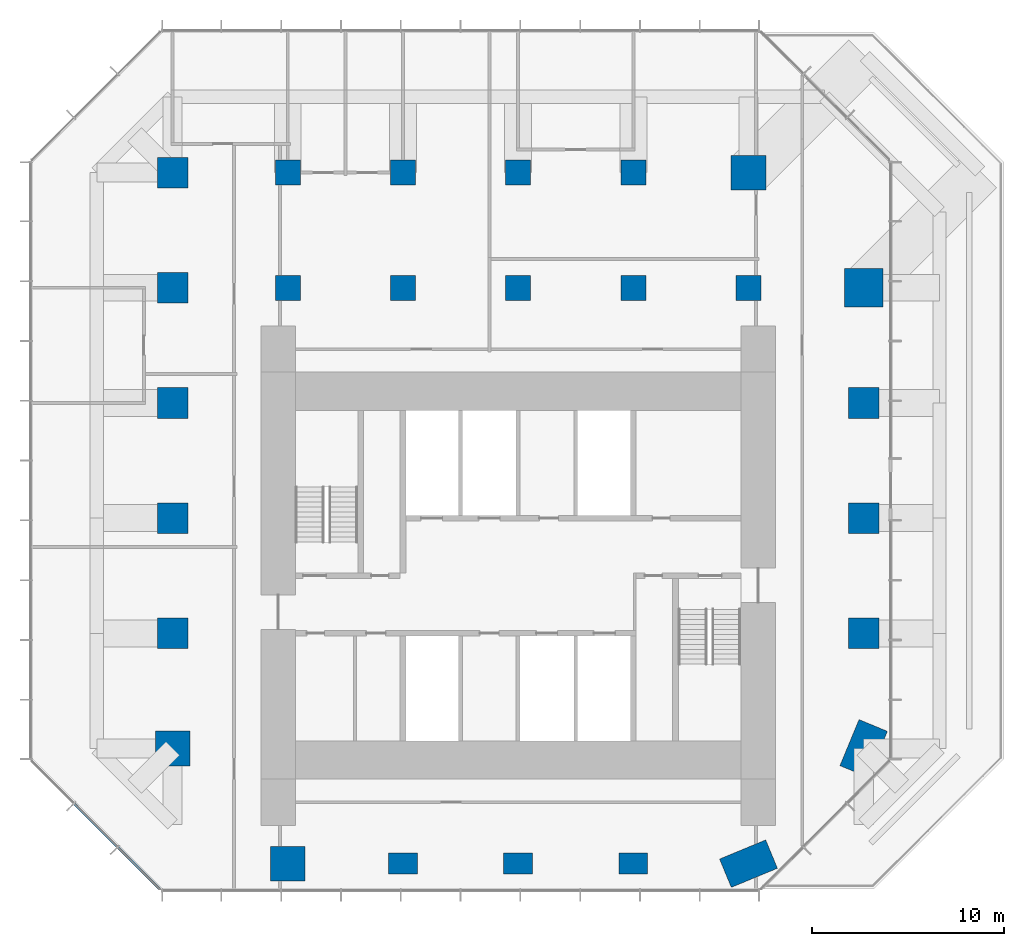
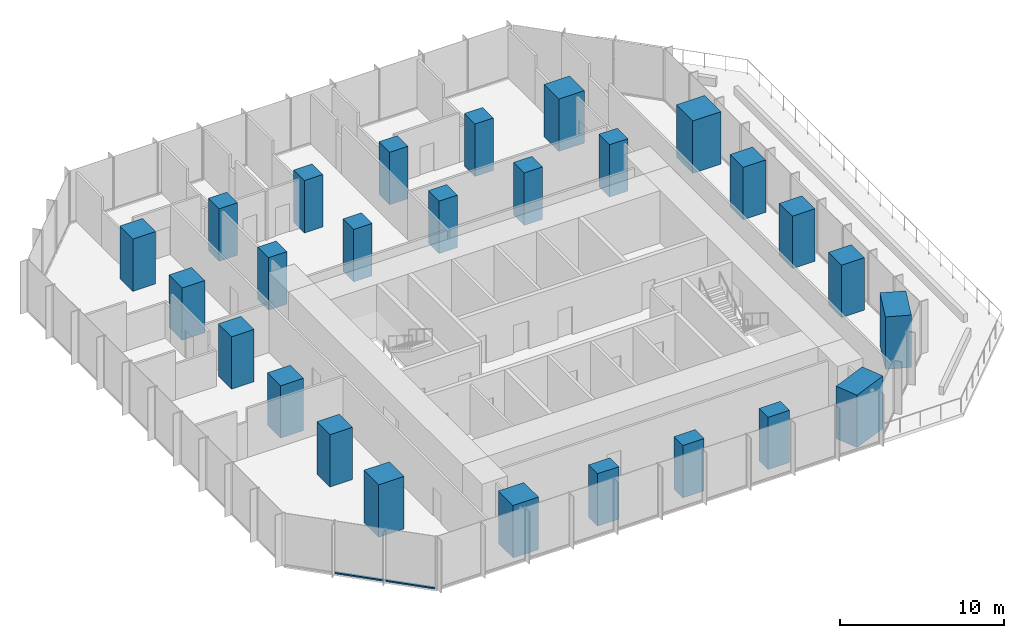
# One storey, part 1 of 11: 26 columns, 2 members, 1 element without a shape of its own.
"""IFC4 building model written with IfcOpenShell, lengths in metres."""

from ifc_helpers import new_model, si_unit, direction, frame, origin, origin_2d, place, context, subcontext, project, spatial, rectangle, extrude, material, layer, layer_set, material_profile, profile_set, type_object, element, aggregate, save


model = new_model("IFC4")

# Units and contexts
model_context = context("Model", 3, precision=1e-05, world=origin(), true_north=direction((0.0, 1.0)))
body_context = subcontext(model_context, "Body", "Model", "MODEL_VIEW")
ifc_project = project(units=[si_unit("LENGTHUNIT", "METRE"), si_unit("AREAUNIT", "SQUARE_METRE"), si_unit("VOLUMEUNIT", "CUBIC_METRE"), si_unit("PLANEANGLEUNIT", "RADIAN"), si_unit("MASSUNIT", "GRAM", prefix="KILO")], contexts=[model_context])

# Site, building, storey
site_placement = place(None, origin())
site = spatial("IfcSite", under=ifc_project, at=site_placement, CompositionType="ELEMENT")
building_placement = place(site_placement, origin())
building = spatial("IfcBuilding", under=site, at=building_placement, Name="Highveld Stack Headquarters", CompositionType="ELEMENT")
storey_placement = place(building_placement, frame((0.0, 0.0, 188.89990234375)))
storey = spatial("IfcBuildingStorey", under=building, at=storey_placement, Name="L46", CompositionType="ELEMENT", Elevation=188.89990234375)

# Columns
ifc_material_1 = material(Name="Concrete C60/75", Category="concrete")
ifc_material_profile_1 = material_profile(ifc_material_1, rectangle(XDim=1.300048828125, YDim=1.300048828125, at=origin_2d()), Name="RC 1300x1300")
ifc_profile_set_1 = profile_set([ifc_material_profile_1], Name="Concrete C60/75")
column_type_1 = type_object("IfcColumnType", Name="COLUMN RC 1300x1300 C60/75", PredefinedType="COLUMN", material=ifc_profile_set_1)
for number, where, z_axis, x_axis, name in (
    (1, (-6.0, 18.0, 0.0), (0.0, 0.0, 1.0), (1.0, 0.0, 0.0), "Column 5/H L46"),
    (2, (-6.0, 24.0, 0.0), (0.0, 0.0, 1.0), (1.0, 0.0, 0.0), "Column 5/J L46"),
    (3, (0.0, 18.0, 0.0), (0.0, 0.0, 1.0), (1.0, 0.0, 0.0), "Column 6/H L46"),
    (4, (0.0, 24.0, 0.0), (0.0, 0.0, 1.0), (1.0, 0.0, 0.0), "Column 6/J L46"),
    (5, (6.0, 18.0, 0.0), (0.0, 0.0, 1.0), (1.0, 0.0, 0.0), "Column 7/H L46"),
    (6, (6.0, 24.0, 0.0), (0.0, 0.0, 1.0), (1.0, 0.0, 0.0), "Column 7/J L46"),
    (7, (12.0, 18.0, 0.0), (0.0, 0.0, 1.0), (1.0, 0.0, 0.0), "Column 8/H L46"),
    (8, (12.0, 24.0, 0.0), (0.0, 0.0, 1.0), (1.0, 0.0, 0.0), "Column 8/J L46"),
    (9, (18.0, 18.0, 0.0), (0.0, 0.0, 1.0), (1.0, 0.0, 0.0), "Column 9/H L46"),
):
    element("IfcColumn", number, at=place(storey_placement, frame(where, z_axis=z_axis, x_axis=x_axis)), inside=storey, type_object=column_type_1, Name=name, PredefinedType="COLUMN", context=body_context, shape_type="SweptSolid", body=[
        extrude(rectangle(XDim=1.300048828125, YDim=1.300048828125, at=origin_2d()), origin(), (0.0, 0.0, 1.0), 3.900146484375),
    ])
ifc_material_2 = material(Name="Concrete C60/75", Category="concrete")
ifc_material_profile_2 = material_profile(ifc_material_2, rectangle(XDim=1.5, YDim=1.10009765625, at=origin_2d()), Name="RC 1500x1100")
ifc_profile_set_2 = profile_set([ifc_material_profile_2], Name="Concrete C60/75")
column_type_2 = type_object("IfcColumnType", Name="COLUMN RC 1500x1100 C60/75", PredefinedType="COLUMN", material=ifc_profile_set_2)
for number, where, z_axis, x_axis, name in (
    (10, (0.0, -12.0, 0.0), (0.0, 0.0, 1.0), (1.0, 0.0, 0.0), "Column 6/C L46"),
    (11, (6.0, -12.0, 0.0), (0.0, 0.0, 1.0), (1.0, 0.0, 0.0), "Column 7/C L46"),
    (12, (12.0, -12.0, 0.0), (0.0, 0.0, 1.0), (1.0, 0.0, 0.0), "Column 8/C L46"),
):
    element("IfcColumn", number, at=place(storey_placement, frame(where, z_axis=z_axis, x_axis=x_axis)), inside=storey, type_object=column_type_2, Name=name, PredefinedType="COLUMN", context=body_context, shape_type="SweptSolid", body=[
        extrude(rectangle(XDim=1.5, YDim=1.10009765625, at=origin_2d()), origin(), (0.0, 0.0, 1.0), 3.900146484375),
    ])
ifc_material_3 = material(Name="Concrete C60/75", Category="concrete")
ifc_material_profile_3 = material_profile(ifc_material_3, rectangle(XDim=1.60009765625, YDim=1.60009765625, at=origin_2d()), Name="RC 1600x1600")
ifc_profile_set_3 = profile_set([ifc_material_profile_3], Name="Concrete C60/75")
column_type_3 = type_object("IfcColumnType", Name="COLUMN RC 1600x1600 C60/75", PredefinedType="COLUMN", material=ifc_profile_set_3)
for number, where, z_axis, x_axis, name in (
    (13, (-12.0, 0.0, 0.0), (0.0, 0.0, 1.0), (1.0, 0.0, 0.0), "Column 4/E L46"),
    (14, (-12.0, 6.0, 0.0), (0.0, 0.0, 1.0), (1.0, 0.0, 0.0), "Column 4/F L46"),
    (15, (-12.0, 12.0, 0.0), (0.0, 0.0, 1.0), (1.0, 0.0, 0.0), "Column 4/G L46"),
    (16, (-12.0, 18.0, 0.0), (0.0, 0.0, 1.0), (1.0, 0.0, 0.0), "Column 4/H L46"),
    (17, (-12.0, 24.0, 0.0), (0.0, 0.0, 1.0), (1.0, 0.0, 0.0), "Column 4/J L46"),
    (18, (24.0, 0.0, 0.0), (0.0, 0.0, 1.0), (1.0, 0.0, 0.0), "Column 10/E L46"),
    (19, (24.0, 6.0, 0.0), (0.0, 0.0, 1.0), (1.0, 0.0, 0.0), "Column 10/F L46"),
    (20, (24.0, 12.0, 0.0), (0.0, 0.0, 1.0), (1.0, 0.0, 0.0), "Column 10/G L46"),
):
    element("IfcColumn", number, at=place(storey_placement, frame(where, z_axis=z_axis, x_axis=x_axis)), inside=storey, type_object=column_type_3, Name=name, PredefinedType="COLUMN", context=body_context, shape_type="SweptSolid", body=[
        extrude(rectangle(XDim=1.60009765625, YDim=1.60009765625, at=origin_2d()), origin(), (0.0, 0.0, 1.0), 3.900146484375),
    ])
ifc_material_4 = material(Name="Concrete C60/75", Category="concrete")
ifc_material_profile_4 = material_profile(ifc_material_4, rectangle(XDim=1.800048828125, YDim=1.800048828125, at=origin_2d()), Name="RC 1800x1800")
ifc_profile_set_4 = profile_set([ifc_material_profile_4], Name="Concrete C60/75")
column_type_4 = type_object("IfcColumnType", Name="COLUMN RC 1800x1800 C60/75", PredefinedType="COLUMN", material=ifc_profile_set_4)
for number, where, z_axis, x_axis, name in (
    (21, (-12.0, -6.0, 0.0), (0.0, 0.0, 1.0), (1.0, 0.0, 0.0), "Column 4/D L46"),
    (22, (-6.0, -12.0, 0.0), (0.0, 0.0, 1.0), (1.0, 0.0, 0.0), "Column 5/C L46"),
    (23, (18.0, 24.0, 0.0), (0.0, 0.0, 1.0), (1.0, 0.0, 0.0), "Column 9/J L46"),
):
    element("IfcColumn", number, at=place(storey_placement, frame(where, z_axis=z_axis, x_axis=x_axis)), inside=storey, type_object=column_type_4, Name=name, PredefinedType="COLUMN", context=body_context, shape_type="SweptSolid", body=[
        extrude(rectangle(XDim=1.800048828125, YDim=1.800048828125, at=origin_2d()), origin(), (0.0, 0.0, 1.0), 3.900146484375),
    ])
ifc_material_5 = material(Name="Concrete C60/75", Category="concrete")
ifc_material_profile_5 = material_profile(ifc_material_5, rectangle(XDim=2.0, YDim=2.0, at=origin_2d()), Name="RC 2000x2000")
ifc_profile_set_5 = profile_set([ifc_material_profile_5], Name="Concrete C60/75")
column_type_5 = type_object("IfcColumnType", Name="COLUMN RC 2000x2000 C60/75", PredefinedType="COLUMN", material=ifc_profile_set_5)
column_placement = place(storey_placement, frame((24.0, 18.0, 0.0), z_axis=(0.0, 0.0, 1.0), x_axis=(1.0, 0.0, 0.0)))
element("IfcColumn", 24, at=column_placement, inside=storey, type_object=column_type_5, Name="Column 10/H L46", PredefinedType="COLUMN", context=body_context, shape_type="SweptSolid", body=[
    extrude(rectangle(XDim=2.0, YDim=2.0, at=origin_2d()), origin(), (0.0, 0.0, 1.0), 3.900146484375),
])
ifc_material_6 = material(Name="Concrete C60/75", Category="concrete")
ifc_material_profile_6 = material_profile(ifc_material_6, rectangle(XDim=2.60009765625, YDim=1.60009765625, at=origin_2d()), Name="RC 2600x1600")
ifc_profile_set_6 = profile_set([ifc_material_profile_6], Name="Concrete C60/75")
column_type_6 = type_object("IfcColumnType", Name="COLUMN RC 2600x1600 C60/75", PredefinedType="COLUMN", material=ifc_profile_set_6)
for number, where, z_axis, x_axis, name in (
    (25, (18.0, -12.0, 0.0), (0.0, 0.0, 1.0), (-0.923879532511, -0.382683432365, 0.0), "Column 9/C L46"),
    (26, (24.0, -6.0, 0.0), (0.0, 0.0, 1.0), (-0.382683432365, -0.923879532511, 0.0), "Column 10/D L46"),
):
    element("IfcColumn", number, at=place(storey_placement, frame(where, z_axis=z_axis, x_axis=x_axis)), inside=storey, type_object=column_type_6, Name=name, PredefinedType="COLUMN", context=body_context, shape_type="SweptSolid", body=[
        extrude(rectangle(XDim=2.60009765625, YDim=1.60009765625, at=origin_2d()), origin(), (0.0, 0.0, 1.0), 3.900146484375),
    ])

# Curtain wall, members
ifc_material_7 = material(Name="Aluminium bronze anodised", Category="aluminium")
ifc_layer = layer(ifc_material_7, 0.199951171875)
ifc_layer_set = layer_set([ifc_layer], Name="Aluminium bronze anodised")
curtain_wall_type = type_object("IfcCurtainWallType", Name="CW2 TOWER CHAMFER UNITISED CURTAIN WALL", PredefinedType="NOTDEFINED", material=ifc_layer_set)
curtain_wall_placement = place(storey_placement, origin())
curtain_wall = element("IfcCurtainWall", 27, at=curtain_wall_placement, inside=storey, type_object=curtain_wall_type, Name="Curtain wall CW2 L46 SW", PredefinedType="NOTDEFINED")
ifc_material_8 = material(Name="Aluminium bronze anodised", Category="aluminium")
ifc_material_profile_7 = material_profile(ifc_material_8, rectangle(XDim=0.14990234375, YDim=0.10009765625, at=origin_2d()), Name="CW2 TRANSOM 150x100")
ifc_profile_set_7 = profile_set([ifc_material_profile_7], Name="Aluminium bronze anodised")
member_type = type_object("IfcMemberType", Name="CW2 STACK TRANSOM 150x100", PredefinedType="USERDEFINED", material=ifc_profile_set_7)
member_1_placement = place(storey_placement, frame((-17.103759765625, -8.876220703125, 0.050048828125), z_axis=(0.707106781187, -0.707106781187, 0.0), x_axis=(0.707106781187, 0.707106781187, 0.0)))
member_1 = element("IfcMember", 28, at=member_1_placement, type_object=member_type, Name="CW2 transom L46 2.1", ObjectType="TRANSOM", PredefinedType="USERDEFINED", context=body_context, shape_type="SweptSolid", body=[
    extrude(rectangle(XDim=0.14990234375, YDim=0.10009765625, at=origin_2d()), origin(), (0.0, 0.0, 1.0), 3.150146484375),
])
member_2_placement = place(storey_placement, frame((-14.830322265625, -11.149658203125, 0.050048828125), z_axis=(0.707106781187, -0.707106781187, 0.0), x_axis=(0.707106781187, 0.707106781187, 0.0)))
member_2 = element("IfcMember", 29, at=member_2_placement, type_object=member_type, Name="CW2 transom L46 3.1", ObjectType="TRANSOM", PredefinedType="USERDEFINED", context=body_context, shape_type="SweptSolid", body=[
    extrude(rectangle(XDim=0.14990234375, YDim=0.10009765625, at=origin_2d()), origin(), (0.0, 0.0, 1.0), 3.08251953125),
])
aggregate(curtain_wall, [member_1, member_2])

save(model, "model.ifc")
